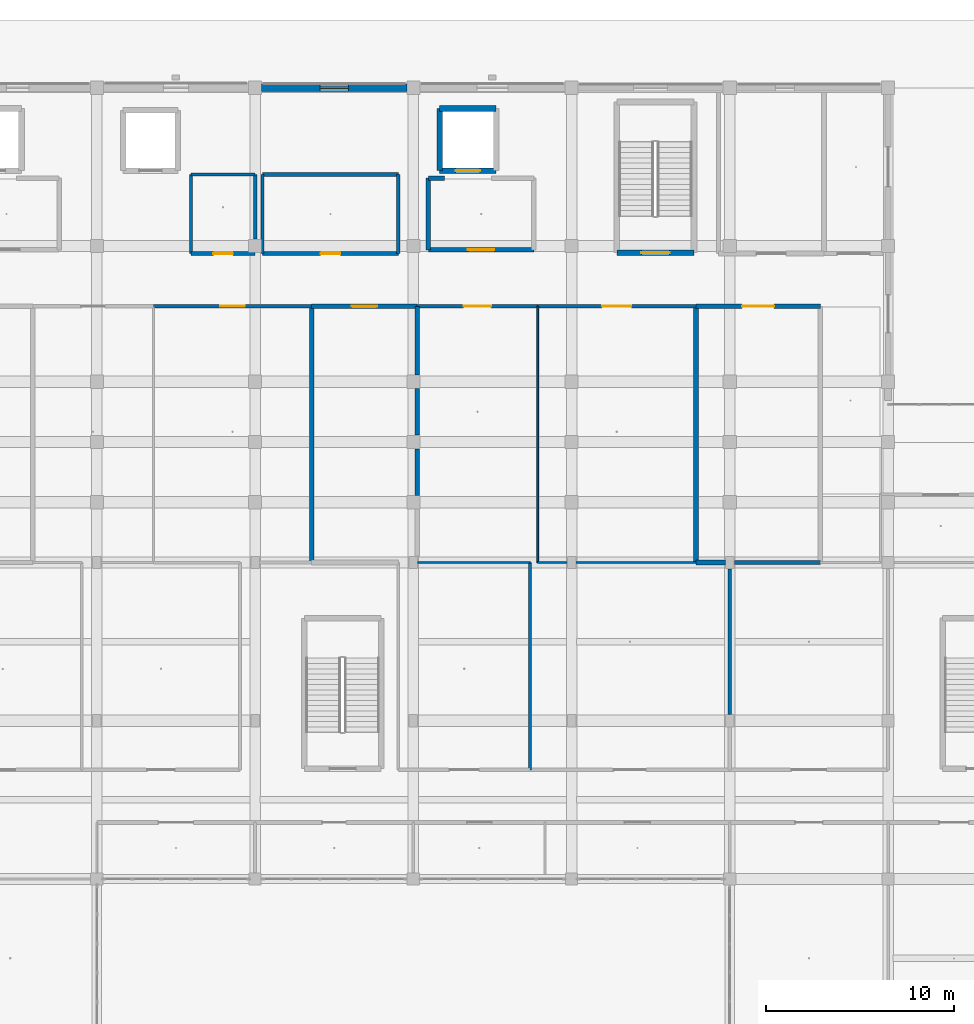
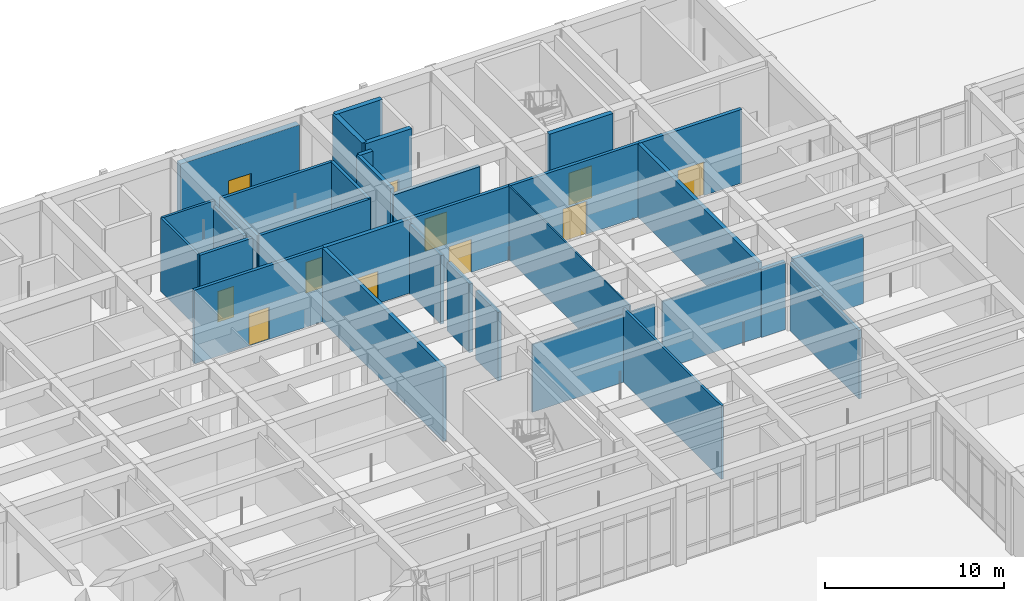
# One storey, part 68 of 167: 34 walls, 10 doors, 1 window, 11 openings.
"""IFC4 building model written with IfcOpenShell, lengths in metres."""

from ifc_helpers import new_model, si_unit, direction, frame, frame_2d, origin, place, context, subcontext, project, spatial, rectangle, extrude, material, layer, layer_set, type_object, element, fill, save


model = new_model("IFC4")

# Units and contexts
model_context = context("Model", 3, precision=1e-05, world=origin(), true_north=direction((0.0, 1.0)))
body_context = subcontext(model_context, "Body", "Model", "MODEL_VIEW")
ifc_project = project(units=[si_unit("LENGTHUNIT", "METRE"), si_unit("AREAUNIT", "SQUARE_METRE"), si_unit("VOLUMEUNIT", "CUBIC_METRE"), si_unit("PLANEANGLEUNIT", "RADIAN"), si_unit("MASSUNIT", "GRAM", prefix="KILO")], contexts=[model_context])

# Site, building, storey
site_placement = place(None, origin())
site = spatial("IfcSite", under=ifc_project, at=site_placement, CompositionType="ELEMENT")
building_placement = place(site_placement, origin())
building = spatial("IfcBuilding", under=site, at=building_placement, Name="Varncliffe General Hospital", CompositionType="ELEMENT")
storey_placement = place(building_placement, origin())
storey = spatial("IfcBuildingStorey", under=building, at=storey_placement, Name="L00", CompositionType="ELEMENT", Elevation=0.0)

# Wall, opening, window
ifc_material_1 = material(Name="Precast concrete C40/50 with insulated cream lime-cement stucco", Category="concrete")
ifc_layer_1 = layer(ifc_material_1, 0.39990234375)
ifc_layer_set_1 = layer_set([ifc_layer_1], Name="Precast concrete C40/50 with insulated cream lime-cement stucco")
wall_type_1 = type_object("IfcWallType", Name="Exterior Insulated Stucco Wall EW47 (400mm)", PredefinedType="SOLIDWALL", material=ifc_layer_set_1)
wall_1_placement = place(storey_placement, frame((33.947998046875, 124.800048828125, 0.0), z_axis=(0.0, 0.0, 1.0), x_axis=(1.0, 0.0, 0.0)))
wall_1 = element("IfcWall", 1, at=wall_1_placement, inside=storey, type_object=wall_type_1, Name="L00 Exterior Stucco Wall EW47-17", PredefinedType="SOLIDWALL", context=body_context, shape_type="SweptSolid", body=[
    extrude(rectangle(XDim=7.7041015625, YDim=0.39990234375, at=frame_2d((3.85205078125, 0.0))), origin(), (0.0, 0.0, 1.0), 4.679931640625),
])
opening_1_placement = place(wall_1_placement, frame((3.10205078125, 0.0, 0.89990234375)))
opening_1 = element("IfcOpeningElement", 2, at=opening_1_placement, cuts=wall_1, Name="Opening WN75", PredefinedType="OPENING", context=body_context, shape_type="SweptSolid", body=[
    extrude(rectangle(XDim=1.5, YDim=1.550048828125, at=frame_2d((0.75, 0.77490234375))), frame((0.0, 0.2099609375, 0.0), z_axis=(0.0, -1.0, 0.0), x_axis=(1.0, 0.0, 0.0)), (0.0, 0.0, 1.0), 0.419921875),
])
ifc_material_2 = material(Name="Triple low-E argon insulated vision glazing", Category="glass")
window_type = type_object("IfcWindowType", Name="Triple-Glazed Hospital Window WN75 (1500x1550)", PartitioningType="SINGLE_PANEL", PredefinedType="WINDOW", material=ifc_material_2)
window_placement = place(opening_1_placement, origin())
window = element("IfcWindow", 3, at=window_placement, inside=storey, type_object=window_type, Name="L00 Hospital Window WN75-12", OverallHeight=1.550048828125, OverallWidth=1.5, PartitioningType="SINGLE_PANEL", PredefinedType="WINDOW", context=body_context, shape_type="SweptSolid", body=[
    extrude(rectangle(XDim=1.5, YDim=1.550048828125, at=frame_2d((0.75, 0.77490234375))), frame((0.0, 0.030029296875, 0.0), z_axis=(0.0, -1.0, 0.0), x_axis=(1.0, 0.0, 0.0)), (0.0, 0.0, 1.0), 0.06005859375),
])
fill(opening_1, window)

# Walls
ifc_material_3 = material(Name="Acoustic clinical gypsum stud partition assembly", Category="gypsum")
ifc_layer_2 = layer(ifc_material_3, 0.169921875)
ifc_layer_set_2 = layer_set([ifc_layer_2], Name="Acoustic clinical gypsum stud partition assembly")
wall_type_2 = type_object("IfcWallType", Name="Interior Partitioning IW20 (170mm)", PredefinedType="PARTITIONING", material=ifc_layer_set_2)
wall_2_placement = place(storey_placement, frame((58.800048828125, 91.5400390625, 0.0), z_axis=(0.0, 0.0, 1.0), x_axis=(0.0, 1.0, 0.0)))
element("IfcWall", 4, at=wall_2_placement, inside=storey, type_object=wall_type_2, Name="L00 Interior Partition Wall IW20-320", PredefinedType="PARTITIONING", context=body_context, shape_type="SweptSolid", body=[
    extrude(rectangle(XDim=7.719970703125, YDim=0.169921875, at=frame_2d((3.85986328125, 0.0))), origin(), (0.0, 0.0, 1.0), 4.68505859375),
])
ifc_layer_3 = layer(ifc_material_3, 0.14990234375)
ifc_layer_set_3 = layer_set([ifc_layer_3], Name="Acoustic clinical gypsum stud partition assembly")
wall_type_3 = type_object("IfcWallType", Name="Interior Partitioning IW35 (150mm)", PredefinedType="PARTITIONING", material=ifc_layer_set_3)
wall_3_placement = place(storey_placement, frame((48.199951171875, 88.60009765625, 0.0), z_axis=(0.0, 0.0, 1.0), x_axis=(0.0, 1.0, 0.0)))
element("IfcWall", 5, at=wall_3_placement, inside=storey, type_object=wall_type_3, Name="L00 Interior Partition Wall IW35-309", PredefinedType="PARTITIONING", context=body_context, shape_type="SweptSolid", body=[
    extrude(rectangle(XDim=11.0, YDim=0.14990234375, at=frame_2d((5.5, 0.0))), origin(), (0.0, 0.0, 1.0), 5.0400390625),
])
ifc_layer_4 = layer(ifc_material_3, 0.090087890625)
ifc_layer_set_4 = layer_set([ifc_layer_4], Name="Acoustic clinical gypsum stud partition assembly")
wall_type_4 = type_object("IfcWallType", Name="Interior Partitioning IW42 (90mm)", PredefinedType="PARTITIONING", material=ifc_layer_set_4)
wall_4_placement = place(storey_placement, frame((42.239990234375, 99.60009765625, 0.0), z_axis=(0.0, 0.0, 1.0), x_axis=(1.0, 0.0, 0.0)))
element("IfcWall", 6, at=wall_4_placement, inside=storey, type_object=wall_type_4, Name="L00 Interior Partition Wall IW42-186", PredefinedType="PARTITIONING", context=body_context, shape_type="SweptSolid", body=[
    extrude(rectangle(XDim=5.9599609375, YDim=0.090087890625, at=frame_2d((2.97998046875, 0.0))), origin(), (0.0, 0.0, 1.0), 4.635009765625),
])
wall_5_placement = place(storey_placement, frame((48.60009765625, 99.60009765625, 0.0), z_axis=(0.0, 0.0, 1.0), x_axis=(0.0, 1.0, 0.0)))
element("IfcWall", 7, at=wall_5_placement, inside=storey, type_object=wall_type_4, Name="L00 Interior Partition Wall IW42-311", PredefinedType="PARTITIONING", context=body_context, shape_type="SweptSolid", body=[
    extrude(rectangle(XDim=13.599853515625, YDim=0.090087890625, at=frame_2d((6.7998046875, 0.0))), origin(), (0.0, 0.0, 1.0), 5.0400390625),
])
ifc_layer_5 = layer(ifc_material_3, 0.110107421875)
ifc_layer_set_5 = layer_set([ifc_layer_5], Name="Acoustic clinical gypsum stud partition assembly")
wall_type_5 = type_object("IfcWallType", Name="Interior Partitioning IW65 (110mm)", PredefinedType="PARTITIONING", material=ifc_layer_set_5)
wall_6_placement = place(storey_placement, frame((50.639892578125, 99.60009765625, 0.0), z_axis=(0.0, 0.0, 1.0), x_axis=(1.0, 0.0, 0.0)))
element("IfcWall", 8, at=wall_6_placement, inside=storey, type_object=wall_type_5, Name="L00 Interior Partition Wall IW65-187", PredefinedType="PARTITIONING", context=body_context, shape_type="SweptSolid", body=[
    extrude(rectangle(XDim=6.360107421875, YDim=0.110107421875, at=frame_2d((3.18017578125, 0.0))), origin(), (0.0, 0.0, 1.0), 4.635009765625),
])
wall_7_placement = place(storey_placement, frame((48.60009765625, 99.60009765625, 0.0), z_axis=(0.0, 0.0, 1.0), x_axis=(1.0, 0.0, 0.0)))
element("IfcWall", 9, at=wall_7_placement, inside=storey, type_object=wall_type_5, Name="L00 Interior Partition Wall IW65-188", PredefinedType="PARTITIONING", context=body_context, shape_type="SweptSolid", body=[
    extrude(rectangle(XDim=1.559814453125, YDim=0.110107421875, at=frame_2d((0.77978515625, 0.0))), origin(), (0.0, 0.0, 1.0), 4.635009765625),
])
ifc_material_4 = material(Name="Fire-rated gypsum and mineral-wool partition assembly", Category="gypsum")
ifc_layer_6 = layer(ifc_material_4, 0.25)
ifc_layer_set_6 = layer_set([ifc_layer_6], Name="Fire-rated gypsum and mineral-wool partition assembly")
wall_type_6 = type_object("IfcWallType", Name="Interior Partitioning PW38 (250mm)", PredefinedType="PARTITIONING", material=ifc_layer_set_6)
wall_8_placement = place(storey_placement, frame((57.0, 99.60009765625, 0.0), z_axis=(0.0, 0.0, 1.0), x_axis=(1.0, 0.0, 0.0)))
element("IfcWall", 10, at=wall_8_placement, inside=storey, type_object=wall_type_6, Name="L00 Interior Partition Wall PW38-189", PredefinedType="PARTITIONING", context=body_context, shape_type="SweptSolid", body=[
    extrude(rectangle(XDim=1.56005859375, YDim=0.25, at=frame_2d((0.780029296875, 0.0))), origin(), (0.0, 0.0, 1.0), 4.635009765625),
])

# Wall, opening, door
wall_9_placement = place(storey_placement, frame((36.60009765625, 113.199951171875, 0.0), z_axis=(0.0, 0.0, 1.0), x_axis=(1.0, 0.0, 0.0)))
wall_9 = element("IfcWall", 11, at=wall_9_placement, inside=storey, type_object=wall_type_6, Name="L00 Interior Partition Wall PW38-231", PredefinedType="PARTITIONING", context=body_context, shape_type="SweptSolid", body=[
    extrude(rectangle(XDim=5.599853515625, YDim=0.25, at=frame_2d((2.7998046875, 0.0))), origin(), (0.0, 0.0, 1.0), 5.0400390625),
])
opening_2_placement = place(wall_9_placement, frame((2.125, 0.0, 0.0)))
opening_2 = element("IfcOpeningElement", 12, at=opening_2_placement, cuts=wall_9, Name="Opening DC85", PredefinedType="OPENING", context=body_context, shape_type="SweptSolid", body=[
    extrude(rectangle(XDim=1.35009765625, YDim=2.199951171875, at=frame_2d((0.675048828125, 1.10009765625))), frame((0.0, 0.135009765625, 0.0), z_axis=(0.0, -1.0, 0.0), x_axis=(1.0, 0.0, 0.0)), (0.0, 0.0, 1.0), 0.27001953125),
])
ifc_material_5 = material(Name="Fire-rated hospital steel-frame vision-panel door", Category="steel")
door_type_1 = type_object("IfcDoorType", Name="Interior Hospital Door DC85 (1350x2200)", OperationType="NOTDEFINED", PredefinedType="DOOR", material=ifc_material_5)
door_1_placement = place(opening_2_placement, frame((1.35009765625, 0.0, 0.0), z_axis=(0.0, 0.0, 1.0), x_axis=(-1.0, 0.0, 0.0)))
door_1 = element("IfcDoor", 13, at=door_1_placement, inside=storey, type_object=door_type_1, Name="L00 Ground Ward Clean Utility Store 118 Door", OperationType="SINGLE_SWING_LEFT", OverallHeight=2.199951171875, OverallWidth=1.35009765625, PredefinedType="DOOR", context=body_context, shape_type="SweptSolid", body=[
    extrude(rectangle(XDim=1.35009765625, YDim=2.199951171875, at=frame_2d((0.675048828125, 1.10009765625))), frame((0.0, 0.02490234375, 0.0), z_axis=(0.0, -1.0, 0.0), x_axis=(1.0, 0.0, 0.0)), (0.0, 0.0, 1.0), 0.050048828125),
])
fill(opening_2, door_1)

wall_10_placement = place(storey_placement, frame((42.800048828125, 116.199951171875, 0.0), z_axis=(0.0, 0.0, 1.0), x_axis=(1.0, 0.0, 0.0)))
wall_10 = element("IfcWall", 14, at=wall_10_placement, inside=storey, type_object=wall_type_6, Name="L00 Interior Partition Wall PW38-255", PredefinedType="PARTITIONING", context=body_context, shape_type="SweptSolid", body=[
    extrude(rectangle(XDim=5.599853515625, YDim=0.25, at=frame_2d((2.7998046875, 0.0))), origin(), (0.0, 0.0, 1.0), 4.635009765625),
])
opening_3_placement = place(wall_10_placement, frame((2.10009765625, 0.0, 0.0)))
opening_3 = element("IfcOpeningElement", 15, at=opening_3_placement, cuts=wall_10, Name="Opening DF81", PredefinedType="OPENING", context=body_context, shape_type="SweptSolid", body=[
    extrude(rectangle(XDim=1.39990234375, YDim=2.199951171875, at=frame_2d((0.699951171875, 1.10009765625))), frame((0.0, 0.135009765625, 0.0), z_axis=(0.0, -1.0, 0.0), x_axis=(1.0, 0.0, 0.0)), (0.0, 0.0, 1.0), 0.27001953125),
])
door_type_2 = type_object("IfcDoorType", Name="Interior Hospital Door DF81 (1400x2200)", OperationType="NOTDEFINED", PredefinedType="DOOR", material=ifc_material_5)
door_2_placement = place(opening_3_placement, origin())
door_2 = element("IfcDoor", 16, at=door_2_placement, inside=storey, type_object=door_type_2, Name="L00 Firefighting Lift Lobby LF02 Door", OperationType="SINGLE_SWING_LEFT", OverallHeight=2.199951171875, OverallWidth=1.39990234375, PredefinedType="DOOR", context=body_context, shape_type="SweptSolid", body=[
    extrude(rectangle(XDim=1.39990234375, YDim=2.199951171875, at=frame_2d((0.699951171875, 1.10009765625))), frame((0.0, 0.02490234375, 0.0), z_axis=(0.0, -1.0, 0.0), x_axis=(1.0, 0.0, 0.0)), (0.0, 0.0, 1.0), 0.050048828125),
])
fill(opening_3, door_2)

# Walls
wall_11_placement = place(storey_placement, frame((42.800048828125, 120.0, 0.0), z_axis=(0.0, 0.0, 1.0), x_axis=(1.0, 0.0, 0.0)))
element("IfcWall", 17, at=wall_11_placement, inside=storey, type_object=wall_type_6, Name="L00 Interior Partition Wall PW38-260", PredefinedType="PARTITIONING", context=body_context, shape_type="SweptSolid", body=[
    extrude(rectangle(XDim=0.864013671875, YDim=0.25, at=frame_2d((0.43212890625, 0.0))), origin(), (0.0, 0.0, 1.0), 5.0400390625),
])
wall_12_placement = place(storey_placement, frame((57.0, 99.60009765625, 0.0), z_axis=(0.0, 0.0, 1.0), x_axis=(0.0, 1.0, 0.0)))
element("IfcWall", 18, at=wall_12_placement, inside=storey, type_object=wall_type_6, Name="L00 Interior Partition Wall PW38-313", PredefinedType="PARTITIONING", context=body_context, shape_type="SweptSolid", body=[
    extrude(rectangle(XDim=13.599853515625, YDim=0.25, at=frame_2d((6.7998046875, 0.0))), origin(), (0.0, 0.0, 1.0), 5.0400390625),
])
ifc_layer_7 = layer(ifc_material_4, 0.22998046875)
ifc_layer_set_7 = layer_set([ifc_layer_7], Name="Fire-rated gypsum and mineral-wool partition assembly")
wall_type_7 = type_object("IfcWallType", Name="Interior Partitioning PW48 (230mm)", PredefinedType="PARTITIONING", material=ifc_layer_set_7)
wall_13_placement = place(storey_placement, frame((59.0400390625, 99.60009765625, 0.0), z_axis=(0.0, 0.0, 1.0), x_axis=(1.0, 0.0, 0.0)))
element("IfcWall", 19, at=wall_13_placement, inside=storey, type_object=wall_type_7, Name="L00 Interior Partition Wall PW48-190", PredefinedType="PARTITIONING", context=body_context, shape_type="SweptSolid", body=[
    extrude(rectangle(XDim=4.56005859375, YDim=0.22998046875, at=frame_2d((2.280029296875, 0.0))), origin(), (0.0, 0.0, 1.0), 4.635009765625),
])

# Wall, opening, door
wall_14_placement = place(storey_placement, frame((57.0, 113.199951171875, 0.0), z_axis=(0.0, 0.0, 1.0), x_axis=(1.0, 0.0, 0.0)))
wall_14 = element("IfcWall", 20, at=wall_14_placement, inside=storey, type_object=wall_type_7, Name="L00 Interior Partition Wall PW48-234", PredefinedType="PARTITIONING", context=body_context, shape_type="SweptSolid", body=[
    extrude(rectangle(XDim=6.60009765625, YDim=0.22998046875, at=frame_2d((3.300048828125, 0.0))), origin(), (0.0, 0.0, 1.0), 5.0400390625),
])
opening_4_placement = place(wall_14_placement, frame((2.449951171875, 0.0, 0.0)))
opening_4 = element("IfcOpeningElement", 21, at=opening_4_placement, cuts=wall_14, Name="Opening DC50", PredefinedType="OPENING", context=body_context, shape_type="SweptSolid", body=[
    extrude(rectangle(XDim=1.699951171875, YDim=2.300048828125, at=frame_2d((0.85009765625, 1.14990234375))), frame((0.0, 0.125, 0.0), z_axis=(0.0, -1.0, 0.0), x_axis=(1.0, 0.0, 0.0)), (0.0, 0.0, 1.0), 0.25),
])
door_type_3 = type_object("IfcDoorType", Name="Interior Hospital Door DC50 (1700x2300)", OperationType="NOTDEFINED", PredefinedType="DOOR", material=ifc_material_5)
door_3_placement = place(opening_4_placement, frame((1.699951171875, 0.0, 0.0), z_axis=(0.0, 0.0, 1.0), x_axis=(-1.0, 0.0, 0.0)))
door_3 = element("IfcDoor", 22, at=door_3_placement, inside=storey, type_object=door_type_3, Name="L00 Ground Ward Clean Utility Store 121 Door", OperationType="SINGLE_SWING_RIGHT", OverallHeight=2.300048828125, OverallWidth=1.699951171875, PredefinedType="DOOR", context=body_context, shape_type="SweptSolid", body=[
    extrude(rectangle(XDim=1.699951171875, YDim=2.300048828125, at=frame_2d((0.85009765625, 1.14990234375))), frame((0.0, 0.02490234375, 0.0), z_axis=(0.0, -1.0, 0.0), x_axis=(1.0, 0.0, 0.0)), (0.0, 0.0, 1.0), 0.050048828125),
])
fill(opening_4, door_3)

# Walls
wall_15_placement = place(storey_placement, frame((36.60009765625, 99.60009765625, 0.0), z_axis=(0.0, 0.0, 1.0), x_axis=(0.0, 1.0, 0.0)))
element("IfcWall", 23, at=wall_15_placement, inside=storey, type_object=wall_type_7, Name="L00 Interior Partition Wall PW48-298", PredefinedType="PARTITIONING", context=body_context, shape_type="SweptSolid", body=[
    extrude(rectangle(XDim=13.599853515625, YDim=0.22998046875, at=frame_2d((6.7998046875, 0.0))), origin(), (0.0, 0.0, 1.0), 5.0400390625),
])
wall_16_placement = place(storey_placement, frame((42.199951171875, 109.56494140625, 0.0), z_axis=(0.0, 0.0, 1.0), x_axis=(0.0, 1.0, 0.0)))
element("IfcWall", 24, at=wall_16_placement, inside=storey, type_object=wall_type_7, Name="L00 Interior Partition Wall PW48-304", PredefinedType="PARTITIONING", context=body_context, shape_type="SweptSolid", body=[
    extrude(rectangle(XDim=3.635009765625, YDim=0.22998046875, at=frame_2d((1.8173828125, 0.0))), origin(), (0.0, 0.0, 1.0), 4.68505859375),
])
for number, where, z_axis, x_axis, name in (
    (25, (42.199951171875, 103.1650390625, 0.0), (0.0, 0.0, 1.0), (0.0, 1.0, 0.0), "L00 Interior Partition Wall PW48-306"),
    (26, (42.199951171875, 106.364990234375, 0.0), (0.0, 0.0, 1.0), (0.0, 1.0, 0.0), "L00 Interior Partition Wall PW48-307"),
):
    element("IfcWall", number, at=place(storey_placement, frame(where, z_axis=z_axis, x_axis=x_axis)), inside=storey, type_object=wall_type_7, Name=name, PredefinedType="PARTITIONING", context=body_context, shape_type="SweptSolid", body=[
        extrude(rectangle(XDim=2.469970703125, YDim=0.22998046875, at=frame_2d((1.23486328125, 0.0))), origin(), (0.0, 0.0, 1.0), 4.68505859375),
    ])
wall_17_placement = place(storey_placement, frame((42.800048828125, 116.199951171875, 0.0), z_axis=(0.0, 0.0, 1.0), x_axis=(0.0, 1.0, 0.0)))
element("IfcWall", 27, at=wall_17_placement, inside=storey, type_object=wall_type_7, Name="L00 Interior Partition Wall PW48-308", PredefinedType="PARTITIONING", context=body_context, shape_type="SweptSolid", body=[
    extrude(rectangle(XDim=3.800048828125, YDim=0.22998046875, at=frame_2d((1.89990234375, 0.0))), origin(), (0.0, 0.0, 1.0), 5.0400390625),
])

# Wall, opening, door
ifc_layer_8 = layer(ifc_material_4, 0.199951171875)
ifc_layer_set_8 = layer_set([ifc_layer_8], Name="Fire-rated gypsum and mineral-wool partition assembly")
wall_type_8 = type_object("IfcWallType", Name="Interior Partitioning PW63 (200mm)", PredefinedType="PARTITIONING", material=ifc_layer_set_8)
wall_18_placement = place(storey_placement, frame((28.199951171875, 113.199951171875, 0.0), z_axis=(0.0, 0.0, 1.0), x_axis=(1.0, 0.0, 0.0)))
wall_18 = element("IfcWall", 28, at=wall_18_placement, inside=storey, type_object=wall_type_8, Name="L00 Interior Partition Wall PW63-230", PredefinedType="PARTITIONING", context=body_context, shape_type="SweptSolid", body=[
    extrude(rectangle(XDim=8.400146484375, YDim=0.199951171875, at=frame_2d((4.2001953125, 0.0))), origin(), (0.0, 0.0, 1.0), 5.0400390625),
])
opening_5_placement = place(wall_18_placement, frame((3.550048828125, 0.0, 0.0)))
opening_5 = element("IfcOpeningElement", 29, at=opening_5_placement, cuts=wall_18, Name="Opening DC88", PredefinedType="OPENING", context=body_context, shape_type="SweptSolid", body=[
    extrude(rectangle(XDim=1.300048828125, YDim=2.199951171875, at=frame_2d((0.64990234375, 1.10009765625))), frame((0.0, 0.10986328125, 0.0), z_axis=(0.0, -1.0, 0.0), x_axis=(1.0, 0.0, 0.0)), (0.0, 0.0, 1.0), 0.219970703125),
])
door_type_4 = type_object("IfcDoorType", Name="Interior Hospital Door DC88 (1300x2200)", OperationType="NOTDEFINED", PredefinedType="DOOR", material=ifc_material_5)
door_4_placement = place(opening_5_placement, frame((1.300048828125, 0.0, 0.0), z_axis=(0.0, 0.0, 1.0), x_axis=(-1.0, 0.0, 0.0)))
door_4 = element("IfcDoor", 30, at=door_4_placement, inside=storey, type_object=door_type_4, Name="L00 Rehabilitation Ambulation Training Room 117 Door", OperationType="SINGLE_SWING_RIGHT", OverallHeight=2.199951171875, OverallWidth=1.300048828125, PredefinedType="DOOR", context=body_context, shape_type="SweptSolid", body=[
    extrude(rectangle(XDim=1.300048828125, YDim=2.199951171875, at=frame_2d((0.64990234375, 1.10009765625))), frame((0.0, 0.02490234375, 0.0), z_axis=(0.0, -1.0, 0.0), x_axis=(1.0, 0.0, 0.0)), (0.0, 0.0, 1.0), 0.050048828125),
])
fill(opening_5, door_4)

wall_19_placement = place(storey_placement, frame((42.199951171875, 113.199951171875, 0.0), z_axis=(0.0, 0.0, 1.0), x_axis=(1.0, 0.0, 0.0)))
wall_19 = element("IfcWall", 31, at=wall_19_placement, inside=storey, type_object=wall_type_8, Name="L00 Interior Partition Wall PW63-232", PredefinedType="PARTITIONING", context=body_context, shape_type="SweptSolid", body=[
    extrude(rectangle(XDim=6.400146484375, YDim=0.199951171875, at=frame_2d((3.2001953125, 0.0))), origin(), (0.0, 0.0, 1.0), 5.0400390625),
])
opening_6_placement = place(wall_19_placement, frame((2.47509765625, 0.0, 0.0)))
opening_6 = element("IfcOpeningElement", 32, at=opening_6_placement, cuts=wall_19, Name="Opening DC66", PredefinedType="OPENING", context=body_context, shape_type="SweptSolid", body=[
    extrude(rectangle(XDim=1.449951171875, YDim=2.25, at=frame_2d((0.72509765625, 1.125))), frame((0.0, 0.10986328125, 0.0), z_axis=(0.0, -1.0, 0.0), x_axis=(1.0, 0.0, 0.0)), (0.0, 0.0, 1.0), 0.219970703125),
])
door_type_5 = type_object("IfcDoorType", Name="Interior Hospital Door DC66 (1450x2250)", OperationType="NOTDEFINED", PredefinedType="DOOR", material=ifc_material_5)
door_5_placement = place(opening_6_placement, frame((1.449951171875, 0.0, 0.0), z_axis=(0.0, 0.0, 1.0), x_axis=(-1.0, 0.0, 0.0)))
door_5 = element("IfcDoor", 33, at=door_5_placement, inside=storey, type_object=door_type_5, Name="L00 Outpatient Phlebotomy and Pre-Admission Clinic 119 Door", OperationType="SINGLE_SWING_RIGHT", OverallHeight=2.25, OverallWidth=1.449951171875, PredefinedType="DOOR", context=body_context, shape_type="SweptSolid", body=[
    extrude(rectangle(XDim=1.449951171875, YDim=2.25, at=frame_2d((0.72509765625, 1.125))), frame((0.0, 0.02490234375, 0.0), z_axis=(0.0, -1.0, 0.0), x_axis=(1.0, 0.0, 0.0)), (0.0, 0.0, 1.0), 0.050048828125),
])
fill(opening_6, door_5)

wall_20_placement = place(storey_placement, frame((48.60009765625, 113.199951171875, 0.0), z_axis=(0.0, 0.0, 1.0), x_axis=(1.0, 0.0, 0.0)))
wall_20 = element("IfcWall", 34, at=wall_20_placement, inside=storey, type_object=wall_type_8, Name="L00 Interior Partition Wall PW63-233", PredefinedType="PARTITIONING", context=body_context, shape_type="SweptSolid", body=[
    extrude(rectangle(XDim=8.39990234375, YDim=0.199951171875, at=frame_2d((4.199951171875, 0.0))), origin(), (0.0, 0.0, 1.0), 5.0400390625),
])
opening_7_placement = place(wall_20_placement, frame((3.425048828125, 0.0, 0.0)))
opening_7 = element("IfcOpeningElement", 35, at=opening_7_placement, cuts=wall_20, Name="Opening DC67", PredefinedType="OPENING", context=body_context, shape_type="SweptSolid", body=[
    extrude(rectangle(XDim=1.550048828125, YDim=2.25, at=frame_2d((0.77490234375, 1.125))), frame((0.0, 0.10986328125, 0.0), z_axis=(0.0, -1.0, 0.0), x_axis=(1.0, 0.0, 0.0)), (0.0, 0.0, 1.0), 0.219970703125),
])
door_type_6 = type_object("IfcDoorType", Name="Interior Hospital Door DC67 (1550x2250)", OperationType="NOTDEFINED", PredefinedType="DOOR", material=ifc_material_5)
door_6_placement = place(opening_7_placement, frame((1.550048828125, 0.0, 0.0), z_axis=(0.0, 0.0, 1.0), x_axis=(-1.0, 0.0, 0.0)))
door_6 = element("IfcDoor", 36, at=door_6_placement, inside=storey, type_object=door_type_6, Name="L00 Rehabilitation Ambulation Training Room 120 Door", OperationType="SINGLE_SWING_LEFT", OverallHeight=2.25, OverallWidth=1.550048828125, PredefinedType="DOOR", context=body_context, shape_type="SweptSolid", body=[
    extrude(rectangle(XDim=1.550048828125, YDim=2.25, at=frame_2d((0.77490234375, 1.125))), frame((0.0, 0.02490234375, 0.0), z_axis=(0.0, -1.0, 0.0), x_axis=(1.0, 0.0, 0.0)), (0.0, 0.0, 1.0), 0.050048828125),
])
fill(opening_7, door_6)

wall_21_placement = place(storey_placement, frame((30.199951171875, 116.0, 0.0), z_axis=(0.0, 0.0, 1.0), x_axis=(1.0, 0.0, 0.0)))
wall_21 = element("IfcWall", 37, at=wall_21_placement, inside=storey, type_object=wall_type_8, Name="L00 Interior Partition Wall PW63-245", PredefinedType="PARTITIONING", context=body_context, shape_type="SweptSolid", body=[
    extrude(rectangle(XDim=3.400146484375, YDim=0.199951171875, at=frame_2d((1.7001953125, 0.0))), origin(), (0.0, 0.0, 1.0), 5.0400390625),
])
opening_8_placement = place(wall_21_placement, frame((1.179931640625, 0.0, 0.0)))
opening_8 = element("IfcOpeningElement", 38, at=opening_8_placement, cuts=wall_21, Name="Opening DI77", PredefinedType="OPENING", context=body_context, shape_type="SweptSolid", body=[
    extrude(rectangle(XDim=1.0400390625, YDim=2.10009765625, at=frame_2d((0.52001953125, 1.050048828125))), frame((0.0, 0.10986328125, 0.0), z_axis=(0.0, -1.0, 0.0), x_axis=(1.0, 0.0, 0.0)), (0.0, 0.0, 1.0), 0.219970703125),
])
ifc_material_6 = material(Name="Solid-core antimicrobial hospital oak veneer door", Category="wood")
door_type_7 = type_object("IfcDoorType", Name="Interior Hospital Door DI77 (1040x2100)", OperationType="NOTDEFINED", PredefinedType="DOOR", material=ifc_material_6)
door_7_placement = place(opening_8_placement, origin())
door_7 = element("IfcDoor", 39, at=door_7_placement, inside=storey, type_object=door_type_7, Name="L00 Accessible WC L00-NW Door", OperationType="SINGLE_SWING_LEFT", OverallHeight=2.10009765625, OverallWidth=1.0400390625, PredefinedType="DOOR", context=body_context, shape_type="SweptSolid", body=[
    extrude(rectangle(XDim=1.0400390625, YDim=2.10009765625, at=frame_2d((0.52001953125, 1.050048828125))), frame((0.0, 0.02490234375, 0.0), z_axis=(0.0, -1.0, 0.0), x_axis=(1.0, 0.0, 0.0)), (0.0, 0.0, 1.0), 0.050048828125),
])
fill(opening_8, door_7)

wall_22_placement = place(storey_placement, frame((34.0, 116.0, 0.0), z_axis=(0.0, 0.0, 1.0), x_axis=(1.0, 0.0, 0.0)))
wall_22 = element("IfcWall", 40, at=wall_22_placement, inside=storey, type_object=wall_type_8, Name="L00 Interior Partition Wall PW63-246", PredefinedType="PARTITIONING", context=body_context, shape_type="SweptSolid", body=[
    extrude(rectangle(XDim=7.199951171875, YDim=0.199951171875, at=frame_2d((3.60009765625, 0.0))), origin(), (0.0, 0.0, 1.0), 5.0400390625),
])
opening_9_placement = place(wall_22_placement, frame((3.080078125, 0.0, 0.0)))
opening_9 = element("IfcOpeningElement", 41, at=opening_9_placement, cuts=wall_22, Name="Opening DI77", PredefinedType="OPENING", context=body_context, shape_type="SweptSolid", body=[
    extrude(rectangle(XDim=1.0400390625, YDim=2.10009765625, at=frame_2d((0.52001953125, 1.050048828125))), frame((0.0, 0.10986328125, 0.0), z_axis=(0.0, -1.0, 0.0), x_axis=(1.0, 0.0, 0.0)), (0.0, 0.0, 1.0), 0.219970703125),
])
door_8_placement = place(opening_9_placement, origin())
door_8 = element("IfcDoor", 42, at=door_8_placement, inside=storey, type_object=door_type_7, Name="L00 Staff and Visitor WC L00-NW Door", OperationType="SINGLE_SWING_RIGHT", OverallHeight=2.10009765625, OverallWidth=1.0400390625, PredefinedType="DOOR", context=body_context, shape_type="SweptSolid", body=[
    extrude(rectangle(XDim=1.0400390625, YDim=2.10009765625, at=frame_2d((0.52001953125, 1.050048828125))), frame((0.0, 0.02490234375, 0.0), z_axis=(0.0, -1.0, 0.0), x_axis=(1.0, 0.0, 0.0)), (0.0, 0.0, 1.0), 0.050048828125),
])
fill(opening_9, door_8)

# Walls
ifc_material_7 = material(Name="Moisture-resistant plumbing chase wall assembly", Category="gypsum")
ifc_layer_9 = layer(ifc_material_7, 0.18994140625)
ifc_layer_set_9 = layer_set([ifc_layer_9], Name="Moisture-resistant plumbing chase wall assembly")
wall_type_9 = type_object("IfcWallType", Name="Interior Plumbingwall MW17 (190mm)", PredefinedType="PLUMBINGWALL", material=ifc_layer_set_9)
wall_23_placement = place(storey_placement, frame((34.0, 120.199951171875, 0.0), z_axis=(0.0, 0.0, 1.0), x_axis=(1.0, 0.0, 0.0)))
element("IfcWall", 43, at=wall_23_placement, inside=storey, type_object=wall_type_9, Name="L00 Interior Plumbing Wall MW17-264", PredefinedType="PLUMBINGWALL", context=body_context, shape_type="SweptSolid", body=[
    extrude(rectangle(XDim=7.199951171875, YDim=0.18994140625, at=frame_2d((3.60009765625, 0.0))), origin(), (0.0, 0.0, 1.0), 5.0400390625),
])
wall_24_placement = place(storey_placement, frame((33.60009765625, 116.764892578125, 0.0), z_axis=(0.0, 0.0, 1.0), x_axis=(0.0, 1.0, 0.0)))
element("IfcWall", 44, at=wall_24_placement, inside=storey, type_object=wall_type_9, Name="L00 Interior Plumbing Wall MW17-296", PredefinedType="PLUMBINGWALL", context=body_context, shape_type="SweptSolid", body=[
    extrude(rectangle(XDim=3.43505859375, YDim=0.18994140625, at=frame_2d((1.717529296875, 0.0))), origin(), (0.0, 0.0, 1.0), 4.68505859375),
])
wall_25_placement = place(storey_placement, frame((41.199951171875, 116.0, 0.0), z_axis=(0.0, 0.0, 1.0), x_axis=(0.0, 1.0, 0.0)))
element("IfcWall", 45, at=wall_25_placement, inside=storey, type_object=wall_type_9, Name="L00 Interior Plumbing Wall MW17-300", PredefinedType="PLUMBINGWALL", context=body_context, shape_type="SweptSolid", body=[
    extrude(rectangle(XDim=4.199951171875, YDim=0.18994140625, at=frame_2d((2.10009765625, 0.0))), origin(), (0.0, 0.0, 1.0), 5.0400390625),
])
ifc_layer_10 = layer(ifc_material_7, 0.159912109375)
ifc_layer_set_10 = layer_set([ifc_layer_10], Name="Moisture-resistant plumbing chase wall assembly")
wall_type_10 = type_object("IfcWallType", Name="Interior Plumbingwall MW31 (160mm)", PredefinedType="PLUMBINGWALL", material=ifc_layer_set_10)
wall_26_placement = place(storey_placement, frame((30.199951171875, 120.199951171875, 0.0), z_axis=(0.0, 0.0, 1.0), x_axis=(1.0, 0.0, 0.0)))
element("IfcWall", 46, at=wall_26_placement, inside=storey, type_object=wall_type_10, Name="L00 Interior Plumbing Wall MW31-263", PredefinedType="PLUMBINGWALL", context=body_context, shape_type="SweptSolid", body=[
    extrude(rectangle(XDim=3.400146484375, YDim=0.159912109375, at=frame_2d((1.7001953125, 0.0))), origin(), (0.0, 0.0, 1.0), 5.0400390625),
])
for number, where, z_axis, x_axis, name in (
    (47, (30.199951171875, 116.0, 0.0), (0.0, 0.0, 1.0), (0.0, 1.0, 0.0), "L00 Interior Plumbing Wall MW31-293"),
    (48, (34.0, 116.0, 0.0), (0.0, 0.0, 1.0), (0.0, 1.0, 0.0), "L00 Interior Plumbing Wall MW31-297"),
):
    element("IfcWall", number, at=place(storey_placement, frame(where, z_axis=z_axis, x_axis=x_axis)), inside=storey, type_object=wall_type_10, Name=name, PredefinedType="PLUMBINGWALL", context=body_context, shape_type="SweptSolid", body=[
        extrude(rectangle(XDim=4.199951171875, YDim=0.159912109375, at=frame_2d((2.10009765625, 0.0))), origin(), (0.0, 0.0, 1.0), 5.0400390625),
    ])

# Wall, opening, door
ifc_material_8 = material(Name="Concrete C40/50 (CSA A23.1 40 MPa)", Category="concrete")
ifc_layer_11 = layer(ifc_material_8, 0.300048828125)
ifc_layer_set_11 = layer_set([ifc_layer_11], Name="Concrete C40/50 (CSA A23.1 40 MPa)")
wall_type_11 = type_object("IfcWallType", Name="Reinforced Concrete Core Shear Wall CW12 (300mm)", PredefinedType="SHEAR", material=ifc_layer_set_11)
wall_27_placement = place(storey_placement, frame((52.800048828125, 116.050048828125, 0.0), z_axis=(0.0, 0.0, 1.0), x_axis=(1.0, 0.0, 0.0)))
wall_27 = element("IfcWall", 49, at=wall_27_placement, inside=storey, type_object=wall_type_11, Name="L00 ST02 Core Shear Wall N", PredefinedType="SHEAR", context=body_context, shape_type="SweptSolid", body=[
    extrude(rectangle(XDim=4.099853515625, YDim=0.300048828125, at=frame_2d((2.0498046875, 0.0))), origin(), (0.0, 0.0, 1.0), 5.39990234375),
])
opening_10_placement = place(wall_27_placement, frame((1.300048828125, 0.0, 0.0)))
opening_10 = element("IfcOpeningElement", 50, at=opening_10_placement, cuts=wall_27, Name="Opening DF28", PredefinedType="OPENING", context=body_context, shape_type="SweptSolid", body=[
    extrude(rectangle(XDim=1.5, YDim=2.199951171875, at=frame_2d((0.75, 1.10009765625))), frame((0.0, 0.16015625, 0.0), z_axis=(0.0, -1.0, 0.0), x_axis=(1.0, 0.0, 0.0)), (0.0, 0.0, 1.0), 0.320068359375),
])
door_type_8 = type_object("IfcDoorType", Name="Interior Hospital Door DF28 (1500x2200)", OperationType="NOTDEFINED", PredefinedType="DOOR", material=ifc_material_5)
door_9_placement = place(opening_10_placement, origin())
door_9 = element("IfcDoor", 51, at=door_9_placement, inside=storey, type_object=door_type_8, Name="L00 ST02 Protected Exit Stair Door", OperationType="SINGLE_SWING_LEFT", OverallHeight=2.199951171875, OverallWidth=1.5, PredefinedType="DOOR", context=body_context, shape_type="SweptSolid", body=[
    extrude(rectangle(XDim=1.5, YDim=2.199951171875, at=frame_2d((0.75, 1.10009765625))), frame((0.0, 0.02490234375, 0.0), z_axis=(0.0, -1.0, 0.0), x_axis=(1.0, 0.0, 0.0)), (0.0, 0.0, 1.0), 0.050048828125),
])
fill(opening_10, door_9)

wall_28_placement = place(storey_placement, frame((43.39990234375, 120.39990234375, 0.0), z_axis=(0.0, 0.0, 1.0), x_axis=(1.0, 0.0, 0.0)))
wall_28 = element("IfcWall", 52, at=wall_28_placement, inside=storey, type_object=wall_type_11, Name="L00 LF02 Elevator Shaft Wall South", PredefinedType="SHEAR", context=body_context, shape_type="SweptSolid", body=[
    extrude(rectangle(XDim=3.0, YDim=0.300048828125, at=frame_2d((1.5, 0.0))), origin(), (0.0, 0.0, 1.0), 5.39990234375),
])
opening_11_placement = place(wall_28_placement, frame((0.85009765625, 0.0, 0.0)))
opening_11 = element("IfcOpeningElement", 53, at=opening_11_placement, cuts=wall_28, Name="Opening LD02", PredefinedType="OPENING", context=body_context, shape_type="SweptSolid", body=[
    extrude(rectangle(XDim=1.300048828125, YDim=2.199951171875, at=frame_2d((0.64990234375, 1.10009765625))), frame((0.0, 0.16015625, 0.0), z_axis=(0.0, -1.0, 0.0), x_axis=(1.0, 0.0, 0.0)), (0.0, 0.0, 1.0), 0.320068359375),
])
ifc_material_9 = material(Name="Brushed stainless-steel sliding elevator landing door", Category="steel")
door_type_9 = type_object("IfcDoorType", Name="Lift Landing Door LD02 (1300x2200)", OperationType="DOUBLE_DOOR_SLIDING", PredefinedType="DOOR", material=ifc_material_9)
door_10_placement = place(opening_11_placement, origin())
door_10 = element("IfcDoor", 54, at=door_10_placement, inside=storey, type_object=door_type_9, Name="Lift Landing Door LF02 L00", OperationType="DOUBLE_DOOR_SLIDING", OverallHeight=2.199951171875, OverallWidth=1.300048828125, PredefinedType="DOOR", context=body_context, shape_type="SweptSolid", body=[
    extrude(rectangle(XDim=1.300048828125, YDim=2.199951171875, at=frame_2d((0.64990234375, 1.10009765625))), frame((0.0, 0.02490234375, 0.0), z_axis=(0.0, -1.0, 0.0), x_axis=(1.0, 0.0, 0.0)), (0.0, 0.0, 1.0), 0.050048828125),
])
fill(opening_11, door_10)

# Walls
wall_29_placement = place(storey_placement, frame((46.39990234375, 123.699951171875, 0.0), z_axis=(0.0, 0.0, 1.0), x_axis=(-1.0, 0.0, 0.0)))
element("IfcWall", 55, at=wall_29_placement, inside=storey, type_object=wall_type_11, Name="L00 LF02 Elevator Shaft Wall North", PredefinedType="SHEAR", context=body_context, shape_type="SweptSolid", body=[
    extrude(rectangle(XDim=3.0, YDim=0.300048828125, at=frame_2d((1.5, 0.0))), origin(), (0.0, 0.0, 1.0), 5.39990234375),
])
wall_30_placement = place(storey_placement, frame((43.39990234375, 123.699951171875, 0.0), z_axis=(0.0, 0.0, 1.0), x_axis=(0.0, -1.0, 0.0)))
element("IfcWall", 56, at=wall_30_placement, inside=storey, type_object=wall_type_11, Name="L00 LF02 Elevator Shaft Wall West", PredefinedType="SHEAR", context=body_context, shape_type="SweptSolid", body=[
    extrude(rectangle(XDim=3.300048828125, YDim=0.300048828125, at=frame_2d((1.64990234375, 0.0))), origin(), (0.0, 0.0, 1.0), 5.39990234375),
])

save(model, "model.ifc")
